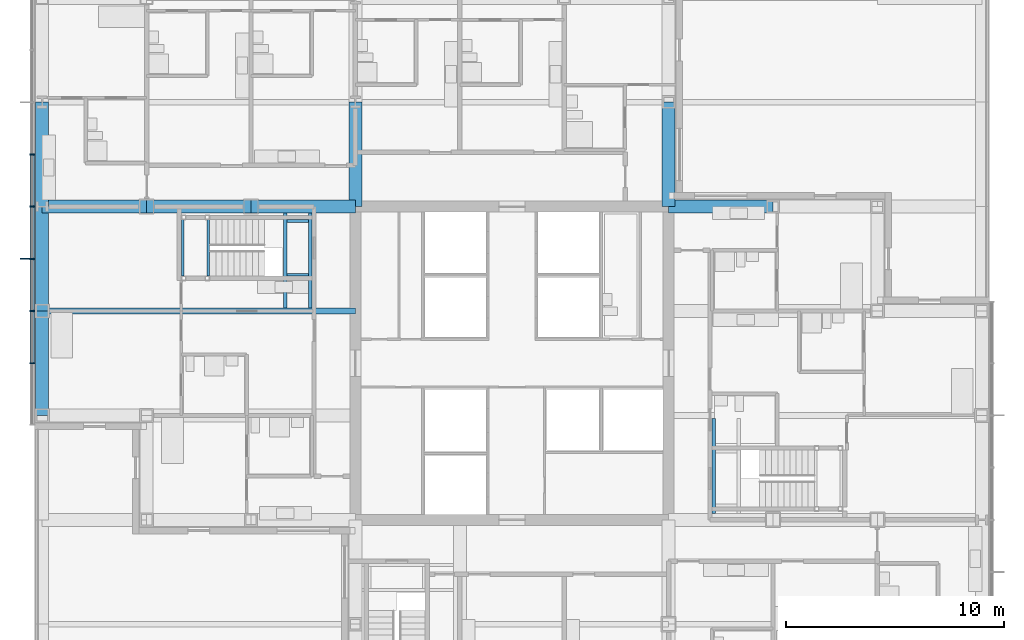
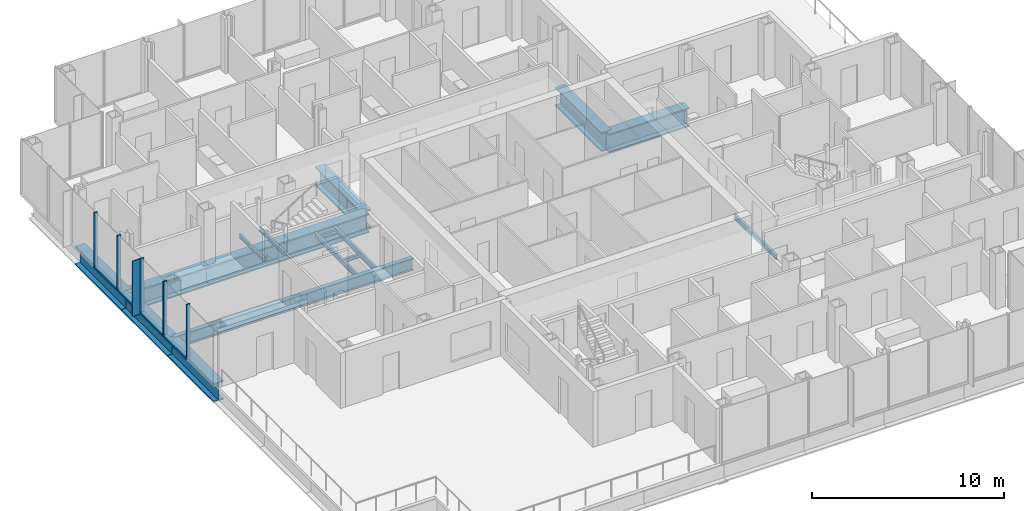
# One storey, part 7 of 19: 17 beams, 10 members, 1 element without a shape of its own.
"""IFC4 building model written with IfcOpenShell, lengths in metres."""

from ifc_helpers import new_model, si_unit, direction, frame, origin, origin_2d, place, context, subcontext, project, spatial, rectangle, i_section, extrude, material, material_profile, profile_set, type_object, element, aggregate, save


model = new_model("IFC4")

# Units and contexts
model_context = context("Model", 3, precision=1e-05, world=origin(), true_north=direction((0.0, 1.0)))
body_context = subcontext(model_context, "Body", "Model", "MODEL_VIEW")
ifc_project = project(units=[si_unit("LENGTHUNIT", "METRE"), si_unit("AREAUNIT", "SQUARE_METRE"), si_unit("VOLUMEUNIT", "CUBIC_METRE"), si_unit("PLANEANGLEUNIT", "RADIAN"), si_unit("MASSUNIT", "GRAM", prefix="KILO")], contexts=[model_context])

# Site, building, storey
site_placement = place(None, origin())
site = spatial("IfcSite", under=ifc_project, at=site_placement, CompositionType="ELEMENT")
building_placement = place(site_placement, origin())
building = spatial("IfcBuilding", under=site, at=building_placement, Name="Kvirike Care Tower", CompositionType="ELEMENT")
storey_placement = place(building_placement, frame((0.0, 0.0, 84.0)))
storey = spatial("IfcBuildingStorey", under=building, at=storey_placement, Name="L22", CompositionType="ELEMENT", Elevation=84.0)

# Curtain wall, members
ifc_material_1 = material(Name="Anodised aluminium stick system", Category="aluminium")
curtain_wall_type = type_object("IfcCurtainWallType", Name="CW-B STICK CURTAIN WALL", PredefinedType="NOTDEFINED", material=ifc_material_1)
curtain_wall_placement = place(storey_placement, origin())
curtain_wall = element("IfcCurtainWall", 1, at=curtain_wall_placement, inside=storey, type_object=curtain_wall_type, Name="Curtain wall L22 face 11", PredefinedType="NOTDEFINED")
ifc_material_2 = material(Name="Bronze anodised aluminium fin", Category="aluminium")
ifc_material_profile_1 = material_profile(ifc_material_2, rectangle(XDim=0.050048828125, YDim=0.449951171875, at=origin_2d()), Name="BRONZE FIN 450")
ifc_profile_set_1 = profile_set([ifc_material_profile_1], Name="Bronze anodised aluminium fin")
member_type_1 = type_object("IfcMemberType", Name="BRONZE FIN 450", PredefinedType="USERDEFINED", material=ifc_profile_set_1)
member_1_placement = place(storey_placement, frame((-0.794921875, 40.800048828125, 0.0), z_axis=(0.0, 0.0, 1.0), x_axis=(0.0, -1.0, 0.0)))
member_1 = element("IfcMember", 2, at=member_1_placement, type_object=member_type_1, Name="Bronze fin L22 face 11.6", ObjectType="FIN", PredefinedType="USERDEFINED", context=body_context, shape_type="SweptSolid", body=[
    extrude(rectangle(XDim=0.050048828125, YDim=0.449951171875, at=origin_2d()), origin(), (0.0, 0.0, 1.0), 3.5),
])
ifc_material_3 = material(Name="Bronze anodised aluminium mullion", Category="aluminium")
ifc_material_profile_2 = material_profile(ifc_material_3, rectangle(XDim=0.06494140625, YDim=0.219970703125, at=origin_2d()), Name="CW-B MULLION 65x220")
ifc_profile_set_2 = profile_set([ifc_material_profile_2], Name="Bronze anodised aluminium mullion")
member_type_2 = type_object("IfcMemberType", Name="CW-B MULLION 65x220", PredefinedType="MULLION", material=ifc_profile_set_2)
member_2_placement = place(storey_placement, frame((-0.4599609375, 45.60009765625, 0.0), z_axis=(0.0, 0.0, 1.0), x_axis=(0.0, -1.0, 0.0)))
member_2 = element("IfcMember", 3, at=member_2_placement, type_object=member_type_2, Name="CW-B mullion L22 face 11.4", PredefinedType="MULLION", context=body_context, shape_type="SweptSolid", body=[
    extrude(rectangle(XDim=0.06494140625, YDim=0.219970703125, at=origin_2d()), origin(), (0.0, 0.0, 1.0), 3.5),
])
member_3_placement = place(storey_placement, frame((-0.4599609375, 43.199951171875, 0.0), z_axis=(0.0, 0.0, 1.0), x_axis=(0.0, -1.0, 0.0)))
member_3 = element("IfcMember", 4, at=member_3_placement, type_object=member_type_2, Name="CW-B mullion L22 face 11.5", PredefinedType="MULLION", context=body_context, shape_type="SweptSolid", body=[
    extrude(rectangle(XDim=0.06494140625, YDim=0.219970703125, at=origin_2d()), origin(), (0.0, 0.0, 1.0), 3.5),
])
member_4_placement = place(storey_placement, frame((-0.4599609375, 40.800048828125, 0.0), z_axis=(0.0, 0.0, 1.0), x_axis=(0.0, -1.0, 0.0)))
member_4 = element("IfcMember", 5, at=member_4_placement, type_object=member_type_2, Name="CW-B mullion L22 face 11.6", PredefinedType="MULLION", context=body_context, shape_type="SweptSolid", body=[
    extrude(rectangle(XDim=0.06494140625, YDim=0.219970703125, at=origin_2d()), origin(), (0.0, 0.0, 1.0), 3.5),
])
member_5_placement = place(storey_placement, frame((-0.4599609375, 38.39990234375, 0.0), z_axis=(0.0, 0.0, 1.0), x_axis=(0.0, -1.0, 0.0)))
member_5 = element("IfcMember", 6, at=member_5_placement, type_object=member_type_2, Name="CW-B mullion L22 face 11.7", PredefinedType="MULLION", context=body_context, shape_type="SweptSolid", body=[
    extrude(rectangle(XDim=0.06494140625, YDim=0.219970703125, at=origin_2d()), origin(), (0.0, 0.0, 1.0), 3.5),
])
member_6_placement = place(storey_placement, frame((-0.4599609375, 36.0, 0.0), z_axis=(0.0, 0.0, 1.0), x_axis=(0.0, -1.0, 0.0)))
member_6 = element("IfcMember", 7, at=member_6_placement, type_object=member_type_2, Name="CW-B mullion L22 face 11.8", PredefinedType="MULLION", context=body_context, shape_type="SweptSolid", body=[
    extrude(rectangle(XDim=0.06494140625, YDim=0.219970703125, at=origin_2d()), origin(), (0.0, 0.0, 1.0), 3.5),
])
ifc_material_4 = material(Name="Bronze anodised aluminium transom", Category="aluminium")
ifc_material_profile_3 = material_profile(ifc_material_4, rectangle(XDim=0.219970703125, YDim=0.10009765625, at=origin_2d()), Name="CW-B TRANSOM 220x100")
ifc_profile_set_3 = profile_set([ifc_material_profile_3], Name="Bronze anodised aluminium transom")
member_type_3 = type_object("IfcMemberType", Name="CW-B TRANSOM 220x100", PredefinedType="USERDEFINED", material=ifc_profile_set_3)
member_7_placement = place(storey_placement, frame((-0.4599609375, 45.5673828125, 0.050048828125), z_axis=(0.0, -1.0, 0.0), x_axis=(1.0, 0.0, 0.0)))
member_7 = element("IfcMember", 8, at=member_7_placement, type_object=member_type_3, Name="CW-B sill transom L22 face 11.4", ObjectType="TRANSOM", PredefinedType="USERDEFINED", context=body_context, shape_type="SweptSolid", body=[
    extrude(rectangle(XDim=0.219970703125, YDim=0.10009765625, at=origin_2d()), origin(), (0.0, 0.0, 1.0), 2.3349609375),
])
member_8_placement = place(storey_placement, frame((-0.4599609375, 43.16748046875, 0.050048828125), z_axis=(0.0, -1.0, 0.0), x_axis=(1.0, 0.0, 0.0)))
member_8 = element("IfcMember", 9, at=member_8_placement, type_object=member_type_3, Name="CW-B sill transom L22 face 11.5", ObjectType="TRANSOM", PredefinedType="USERDEFINED", context=body_context, shape_type="SweptSolid", body=[
    extrude(rectangle(XDim=0.219970703125, YDim=0.10009765625, at=origin_2d()), origin(), (0.0, 0.0, 1.0), 2.3349609375),
])
member_9_placement = place(storey_placement, frame((-0.4599609375, 40.767578125, 0.050048828125), z_axis=(0.0, -1.0, 0.0), x_axis=(1.0, 0.0, 0.0)))
member_9 = element("IfcMember", 10, at=member_9_placement, type_object=member_type_3, Name="CW-B sill transom L22 face 11.6", ObjectType="TRANSOM", PredefinedType="USERDEFINED", context=body_context, shape_type="SweptSolid", body=[
    extrude(rectangle(XDim=0.219970703125, YDim=0.10009765625, at=origin_2d()), origin(), (0.0, 0.0, 1.0), 2.3349609375),
])
member_10_placement = place(storey_placement, frame((-0.4599609375, 38.367431640625, 0.050048828125), z_axis=(0.0, -1.0, 0.0), x_axis=(1.0, 0.0, 0.0)))
member_10 = element("IfcMember", 11, at=member_10_placement, type_object=member_type_3, Name="CW-B sill transom L22 face 11.7", ObjectType="TRANSOM", PredefinedType="USERDEFINED", context=body_context, shape_type="SweptSolid", body=[
    extrude(rectangle(XDim=0.219970703125, YDim=0.10009765625, at=origin_2d()), origin(), (0.0, 0.0, 1.0), 2.3349609375),
])
aggregate(curtain_wall, [member_2, member_3, member_4, member_1, member_5, member_6, member_7, member_8, member_9, member_10])

# Beams
ifc_material_5 = material(Name="Steel S355", Category="steel")
ifc_material_profile_4 = material_profile(ifc_material_5, i_section(OverallWidth=0.26806640625, OverallDepth=0.77001953125, WebThickness=0.015625, FlangeThickness=0.025390625, FilletRadius=0.01708984375, at=origin_2d()), Name="IPE 750x196")
ifc_profile_set_4 = profile_set([ifc_material_profile_4], Name="Steel S355")
beam_type_1 = type_object("IfcBeamType", Name="FLOOR BEAM IPE 750x196", PredefinedType="BEAM", material=ifc_profile_set_4)
beam_1_placement = place(storey_placement, frame((0.0, 38.39990234375, -0.554931640625), z_axis=(1.0, 0.0, 0.0), x_axis=(0.0, 1.0, 0.0)))
element("IfcBeam", 12, at=beam_1_placement, inside=storey, type_object=beam_type_1, Name="Floor Beam J3-J6 L22", PredefinedType="BEAM", context=body_context, shape_type="SweptSolid", body=[
    extrude(i_section(OverallWidth=0.26806640625, OverallDepth=0.77001953125, WebThickness=0.015625, FlangeThickness=0.025390625, FilletRadius=0.01708984375, at=origin_2d()), origin(), (0.0, 0.0, 1.0), 14.39990234375),
])
ifc_material_6 = material(Name="Steel S355", Category="steel")
ifc_material_profile_5 = material_profile(ifc_material_6, i_section(OverallWidth=0.60009765625, OverallDepth=1.199951171875, WebThickness=0.0400390625, FlangeThickness=0.080078125, at=origin_2d()), Name="PG 1200x600x40x80")
ifc_profile_set_5 = profile_set([ifc_material_profile_5], Name="Steel S355")
beam_type_2 = type_object("IfcBeamType", Name="FRAME BEAM PG 1200x600x40x80", PredefinedType="BEAM", material=ifc_profile_set_5)
for number, where, z_axis, x_axis, name in (
    (13, (0.0, 43.199951171875, -0.77001953125), (1.0, 0.0, 0.0), (0.0, 1.0, 0.0), "Frame Beam K3-K4 L22"),
    (14, (4.800048828125, 43.199951171875, -0.77001953125), (1.0, 0.0, 0.0), (0.0, 1.0, 0.0), "Frame Beam K4-K5 L22"),
):
    element("IfcBeam", number, at=place(storey_placement, frame(where, z_axis=z_axis, x_axis=x_axis)), inside=storey, type_object=beam_type_2, Name=name, PredefinedType="BEAM", context=body_context, shape_type="SweptSolid", body=[
        extrude(i_section(OverallWidth=0.60009765625, OverallDepth=1.199951171875, WebThickness=0.0400390625, FlangeThickness=0.080078125, at=origin_2d()), origin(), (0.0, 0.0, 1.0), 4.800048828125),
    ])
beam_2_placement = place(storey_placement, frame((9.60009765625, 43.199951171875, -0.77001953125), z_axis=(1.0, 0.0, 0.0), x_axis=(0.0, 1.0, 0.0)))
element("IfcBeam", 15, at=beam_2_placement, inside=storey, type_object=beam_type_2, Name="Frame Beam K5-K6 L22", PredefinedType="BEAM", context=body_context, shape_type="SweptSolid", body=[
    extrude(i_section(OverallWidth=0.60009765625, OverallDepth=1.199951171875, WebThickness=0.0400390625, FlangeThickness=0.080078125, at=origin_2d()), origin(), (0.0, 0.0, 1.0), 4.7998046875),
])
beam_3_placement = place(storey_placement, frame((14.39990234375, 43.199951171875, -0.77001953125), z_axis=(0.0, 1.0, 0.0), x_axis=(-1.0, 0.0, 0.0)))
element("IfcBeam", 16, at=beam_3_placement, inside=storey, type_object=beam_type_2, Name="Frame Beam K6-L6 L22", PredefinedType="BEAM", context=body_context, shape_type="SweptSolid", body=[
    extrude(i_section(OverallWidth=0.60009765625, OverallDepth=1.199951171875, WebThickness=0.0400390625, FlangeThickness=0.080078125, at=origin_2d()), origin(), (0.0, 0.0, 1.0), 4.800048828125),
])
ifc_material_7 = material(Name="Steel S355", Category="steel")
ifc_material_profile_6 = material_profile(ifc_material_7, i_section(OverallWidth=0.60009765625, OverallDepth=1.199951171875, WebThickness=0.0400390625, FlangeThickness=0.080078125, at=origin_2d()), Name="PG 1200x600x40x80")
ifc_profile_set_6 = profile_set([ifc_material_profile_6], Name="Steel S355")
beam_type_3 = type_object("IfcBeamType", Name="SPANDREL PG 1200x600x40x80", PredefinedType="SPANDREL", material=ifc_profile_set_6)
beam_4_placement = place(storey_placement, frame((28.800048828125, 43.199951171875, -0.77001953125), z_axis=(1.0, 0.0, 0.0), x_axis=(0.0, 1.0, 0.0)))
element("IfcBeam", 17, at=beam_4_placement, inside=storey, type_object=beam_type_3, Name="Spandrel K9-K10 L22", PredefinedType="SPANDREL", context=body_context, shape_type="SweptSolid", body=[
    extrude(i_section(OverallWidth=0.60009765625, OverallDepth=1.199951171875, WebThickness=0.0400390625, FlangeThickness=0.080078125, at=origin_2d()), origin(), (0.0, 0.0, 1.0), 4.800048828125),
])
beam_5_placement = place(storey_placement, frame((0.0, 33.60009765625, -0.77001953125), z_axis=(0.0, 1.0, 0.0), x_axis=(-1.0, 0.0, 0.0)))
element("IfcBeam", 18, at=beam_5_placement, inside=storey, type_object=beam_type_3, Name="Spandrel H3-J3 L22", PredefinedType="SPANDREL", context=body_context, shape_type="SweptSolid", body=[
    extrude(i_section(OverallWidth=0.60009765625, OverallDepth=1.199951171875, WebThickness=0.0400390625, FlangeThickness=0.080078125, at=origin_2d()), origin(), (0.0, 0.0, 1.0), 4.7998046875),
])
for number, where, z_axis, x_axis, name in (
    (19, (0.0, 38.39990234375, -0.77001953125), (0.0, 1.0, 0.0), (-1.0, 0.0, 0.0), "Spandrel J3-K3 L22"),
    (20, (0.0, 43.199951171875, -0.77001953125), (0.0, 1.0, 0.0), (-1.0, 0.0, 0.0), "Spandrel K3-L3 L22"),
    (21, (28.800048828125, 43.199951171875, -0.77001953125), (0.0, 1.0, 0.0), (-1.0, 0.0, 0.0), "Spandrel K9-L9 L22"),
):
    element("IfcBeam", number, at=place(storey_placement, frame(where, z_axis=z_axis, x_axis=x_axis)), inside=storey, type_object=beam_type_3, Name=name, PredefinedType="SPANDREL", context=body_context, shape_type="SweptSolid", body=[
        extrude(i_section(OverallWidth=0.60009765625, OverallDepth=1.199951171875, WebThickness=0.0400390625, FlangeThickness=0.080078125, at=origin_2d()), origin(), (0.0, 0.0, 1.0), 4.800048828125),
    ])
ifc_material_8 = material(Name="Steel S355", Category="steel")
ifc_material_profile_7 = material_profile(ifc_material_8, i_section(OverallWidth=0.1201171875, OverallDepth=0.239990234375, WebThickness=0.006103515625, FlangeThickness=0.009765625, FilletRadius=0.014892578125, at=origin_2d()), Name="IPE 240")
ifc_profile_set_7 = profile_set([ifc_material_profile_7], Name="Steel S355")
beam_type_4 = type_object("IfcBeamType", Name="STAIR LANDING BEAM IPE 240", PredefinedType="BEAM", material=ifc_profile_set_7)
for number, where, z_axis, x_axis, name in (
    (22, (6.4599609375, 42.60009765625, 1.429931640625), (0.0, -1.0, 0.0), (1.0, 0.0, 0.0), "Stair 1 landing beam back L22"),
    (23, (7.639892578125, 42.60009765625, 1.429931640625), (0.0, -1.0, 0.0), (1.0, 0.0, 0.0), "Stair 1 landing beam front L22"),
):
    element("IfcBeam", number, at=place(storey_placement, frame(where, z_axis=z_axis, x_axis=x_axis)), inside=storey, type_object=beam_type_4, Name=name, PredefinedType="BEAM", context=body_context, shape_type="SweptSolid", body=[
        extrude(i_section(OverallWidth=0.1201171875, OverallDepth=0.239990234375, WebThickness=0.006103515625, FlangeThickness=0.009765625, FilletRadius=0.014892578125, at=origin_2d()), origin(), (0.0, 0.0, 1.0), 2.60009765625),
    ])
for number, where, z_axis, x_axis, name in (
    (24, (11.25, 42.5400390625, -0.320068359375), (1.0, 0.0, 0.0), (0.0, 1.0, 0.0), "Stair 1 landing edge beam 1 L22"),
    (25, (11.25, 40.06005859375, -0.320068359375), (1.0, 0.0, 0.0), (0.0, 1.0, 0.0), "Stair 1 landing edge beam 2 L22"),
):
    element("IfcBeam", number, at=place(storey_placement, frame(where, z_axis=z_axis, x_axis=x_axis)), inside=storey, type_object=beam_type_4, Name=name, PredefinedType="BEAM", context=body_context, shape_type="SweptSolid", body=[
        extrude(i_section(OverallWidth=0.1201171875, OverallDepth=0.239990234375, WebThickness=0.006103515625, FlangeThickness=0.009765625, FilletRadius=0.014892578125, at=origin_2d()), origin(), (0.0, 0.0, 1.0), 1.0),
    ])
ifc_material_9 = material(Name="Steel S355", Category="steel")
ifc_material_profile_8 = material_profile(ifc_material_9, i_section(OverallWidth=0.14990234375, OverallDepth=0.300048828125, WebThickness=0.007080078125, FlangeThickness=0.0107421875, FilletRadius=0.014892578125, at=origin_2d()), Name="IPE 300")
ifc_profile_set_8 = profile_set([ifc_material_profile_8], Name="Steel S355")
beam_type_5 = type_object("IfcBeamType", Name="STAIR TRIMMER IPE 300", PredefinedType="BEAM", material=ifc_profile_set_8)
for number, where, z_axis, x_axis, name in (
    (26, (11.175048828125, 42.89990234375, -0.35009765625), (0.0, -1.0, 0.0), (1.0, 0.0, 0.0), "Stair 1 trimmer 1 L22"),
    (27, (12.324951171875, 42.89990234375, -0.35009765625), (0.0, -1.0, 0.0), (1.0, 0.0, 0.0), "Stair 1 trimmer 2 L22"),
    (28, (30.875, 29.10009765625, -0.35009765625), (0.0, 1.0, 0.0), (-1.0, 0.0, 0.0), "Stair 2 trimmer 2 L22"),
):
    element("IfcBeam", number, at=place(storey_placement, frame(where, z_axis=z_axis, x_axis=x_axis)), inside=storey, type_object=beam_type_5, Name=name, PredefinedType="BEAM", context=body_context, shape_type="SweptSolid", body=[
        extrude(i_section(OverallWidth=0.14990234375, OverallDepth=0.300048828125, WebThickness=0.007080078125, FlangeThickness=0.0107421875, FilletRadius=0.014892578125, at=origin_2d()), origin(), (0.0, 0.0, 1.0), 4.365966796875),
    ])

save(model, "model.ifc")
